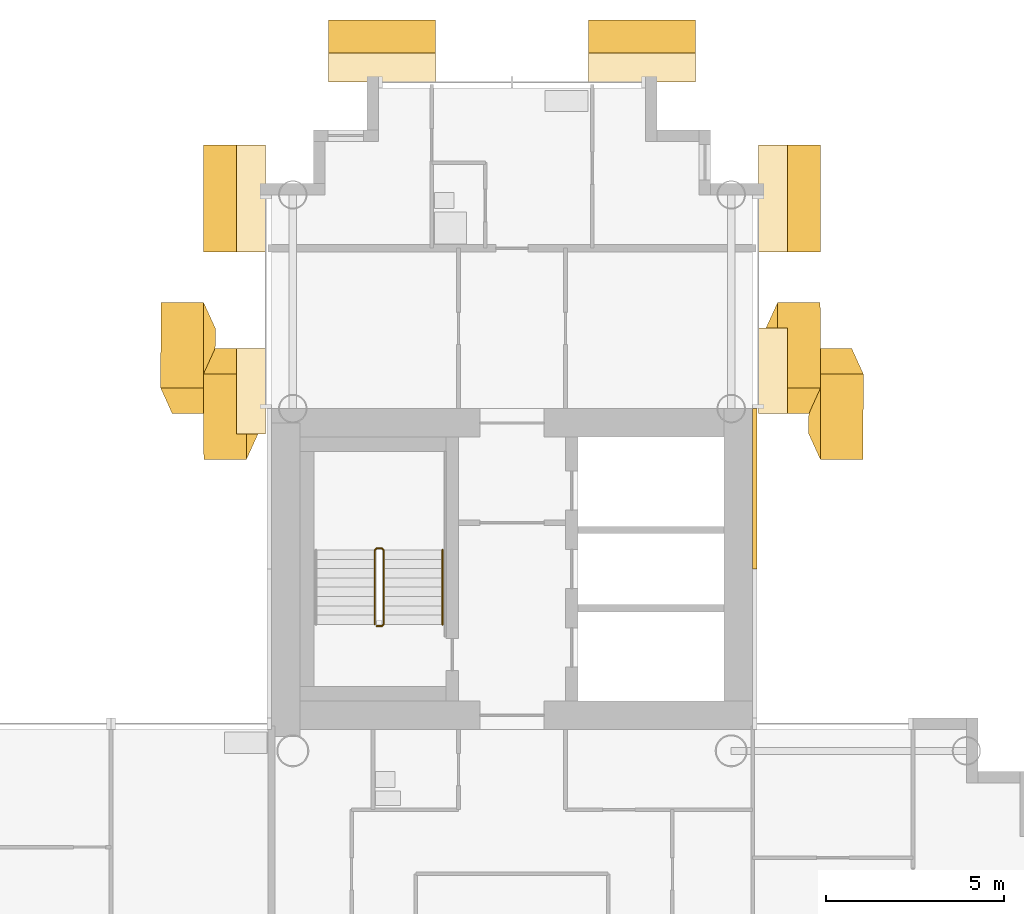
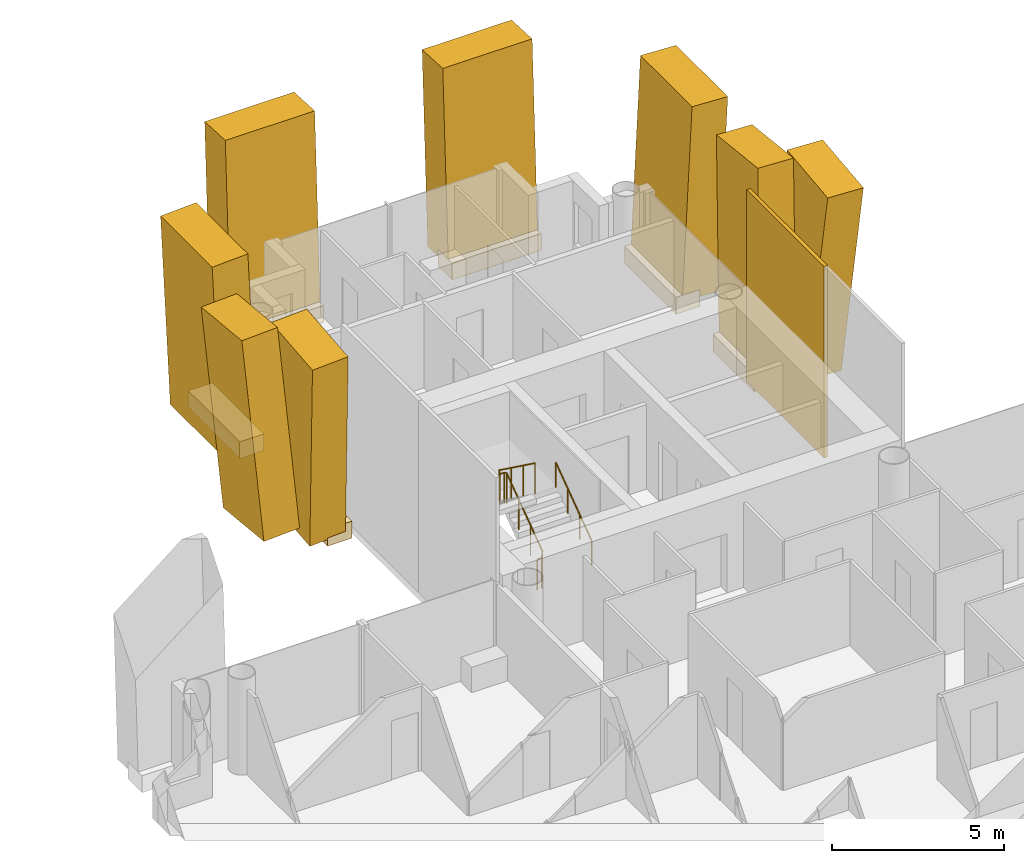
# One storey, part 18 of 19: 15 coverings, 2 railings.
"""IFC4 building model written with IfcOpenShell, lengths in metres."""

from ifc_helpers import new_model, si_unit, direction, frame, origin, origin_2d, place, context, subcontext, project, spatial, rectangle, circle, extrude, material, layer, layer_set, material_profile, profile_set, type_object, element, save


model = new_model("IFC4")

# Units and contexts
model_context = context("Model", 3, precision=1e-05, world=origin(), true_north=direction((0.0, 1.0)))
body_context = subcontext(model_context, "Body", "Model", "MODEL_VIEW")
ifc_project = project(units=[si_unit("LENGTHUNIT", "METRE"), si_unit("AREAUNIT", "SQUARE_METRE"), si_unit("VOLUMEUNIT", "CUBIC_METRE"), si_unit("PLANEANGLEUNIT", "RADIAN"), si_unit("MASSUNIT", "GRAM", prefix="KILO")], contexts=[model_context])

# Site, building, storey
site_placement = place(None, origin())
site = spatial("IfcSite", under=ifc_project, at=site_placement, CompositionType="ELEMENT")
building_placement = place(site_placement, origin())
building = spatial("IfcBuilding", under=site, at=building_placement, Name="Ipe Terrace Towers", CompositionType="ELEMENT")
storey_placement = place(building_placement, frame((0.0, 0.0, 157.5)))
storey = spatial("IfcBuildingStorey", under=building, at=storey_placement, Name="L43", CompositionType="ELEMENT", Elevation=157.5)

# Coverings
ifc_material_1 = material(Name="Concrete C50/60 precast, buff finish", Category="concrete")
ifc_layer = layer(ifc_material_1, 0.1201171875)
ifc_layer_set = layer_set([ifc_layer], Name="STONE CORE CLADDING 120")
covering_type_1 = type_object("IfcCoveringType", Name="STONE CORE CLADDING 120", PredefinedType="CLADDING", material=ifc_layer_set)
covering_placement = place(storey_placement, frame((42.81005859375, 13.5, 0.0), z_axis=(0.0, 0.0, 1.0), x_axis=(0.0, 1.0, 0.0)))
element("IfcCovering", 1, at=covering_placement, inside=storey, type_object=covering_type_1, Name="stone core cladding", PredefinedType="CLADDING", context=body_context, shape_type="SweptSolid", body=[
    extrude(rectangle(XDim=4.5009765625, YDim=0.1201171875, at=origin_2d()), origin(), (0.0, 0.0, 1.0), 6.800048828125),
])
ifc_material_2 = material(Name="Concrete C50/60 precast, buff finish", Category="concrete")
ifc_material_profile_1 = material_profile(ifc_material_2, rectangle(XDim=2.39990234375, YDim=1.199951171875, at=origin_2d()), Name="STONE FIN 2400 x 1200")
ifc_profile_set_1 = profile_set([ifc_material_profile_1], Name="Concrete C50/60 precast, buff finish")
covering_type_2 = type_object("IfcCoveringType", Name="STONE FIN 2400 x 1200", PredefinedType="USERDEFINED", material=ifc_profile_set_1)
for number, where, z_axis, x_axis, name in (
    (2, (27.072021484375, 16.80908203125, 0.0), (-0.047610457675, 0.105028312998, 0.993328897087), (-0.005028256175, -0.994469232037, 0.104907879451), "stone fin"),
    (3, (28.27197265625, 16.240966796875, 0.0), (-0.047610457675, -0.105028312998, 0.993328897087), (0.005028256175, -0.994469232037, -0.104907879451), "stone fin"),
    (4, (43.72802734375, 16.80908203125, 0.0), (0.047610457675, 0.105028312998, 0.993328897087), (-0.005028256175, 0.994469232037, -0.104907879451), "stone fin"),
    (5, (44.927978515625, 16.240966796875, 0.0), (0.047610457675, -0.105028312998, 0.993328897087), (0.005028256175, 0.994469232037, 0.104907879451), "stone fin"),
):
    element("IfcCovering", number, at=place(storey_placement, frame(where, z_axis=z_axis, x_axis=x_axis)), inside=storey, type_object=covering_type_2, Name=name, ObjectType="FIN", PredefinedType="USERDEFINED", context=body_context, shape_type="SweptSolid", body=[
        extrude(rectangle(XDim=2.39990234375, YDim=1.199951171875, at=origin_2d()), origin(), (0.0, 0.0, 1.0), 6.845703125),
    ])
ifc_material_3 = material(Name="Concrete C50/60 precast, buff finish", Category="concrete")
ifc_material_profile_2 = material_profile(ifc_material_3, rectangle(XDim=3.0, YDim=1.199951171875, at=origin_2d()), Name="STONE FIN CORNER 3000 x 1200")
ifc_profile_set_2 = profile_set([ifc_material_profile_2], Name="Concrete C50/60 precast, buff finish")
covering_type_3 = type_object("IfcCoveringType", Name="STONE FIN CORNER 3000 x 1200", PredefinedType="USERDEFINED", material=ifc_profile_set_2)
for number, where, z_axis, x_axis, name in (
    (6, (28.27197265625, 21.64990234375, 0.0), (-0.047875244543, 0.0, 0.998853323046), (0.0, -1.0, 0.0), "stone fin"),
    (7, (32.35009765625, 25.72802734375, 0.0), (0.0, 0.047875244543, 0.998853323046), (-1.0, 0.0, 0.0), "stone fin"),
    (8, (39.64990234375, 25.72802734375, 0.0), (0.0, 0.047875244543, 0.998853323046), (-1.0, 0.0, 0.0), "stone fin"),
    (9, (43.72802734375, 21.64990234375, 0.0), (0.047875244543, 0.0, 0.998853323046), (0.0, 1.0, 0.0), "stone fin"),
):
    element("IfcCovering", number, at=place(storey_placement, frame(where, z_axis=z_axis, x_axis=x_axis)), inside=storey, type_object=covering_type_3, Name=name, ObjectType="FIN", PredefinedType="USERDEFINED", context=body_context, shape_type="SweptSolid", body=[
        extrude(rectangle(XDim=3.0, YDim=1.199951171875, at=origin_2d()), origin(), (0.0, 0.0, 1.0), 6.807861328125),
    ])
ifc_material_4 = material(Name="Concrete C50/60 precast, buff finish", Category="concrete")
covering_type_4 = type_object("IfcCoveringType", Name="STONE FIN SHELF 2400 x 600", PredefinedType="CLADDING", material=ifc_material_4)
for number, where, z_axis, x_axis, name in (
    (10, (28.677978515625, 16.240966796875, -0.35009765625), (0.0, 0.0, 1.0), (0.0, -1.0, 0.0), "stone fin shelf"),
    (11, (43.322021484375, 16.80908203125, -0.35009765625), (0.0, 0.0, 1.0), (0.0, 1.0, 0.0), "stone fin shelf"),
):
    element("IfcCovering", number, at=place(storey_placement, frame(where, z_axis=z_axis, x_axis=x_axis)), inside=storey, type_object=covering_type_4, Name=name, PredefinedType="CLADDING", context=body_context, shape_type="SweptSolid", body=[
        extrude(rectangle(XDim=2.39990234375, YDim=0.81201171875, at=origin_2d()), origin(), (0.0, 0.0, 1.0), 0.60009765625),
    ])
ifc_material_5 = material(Name="Concrete C50/60 precast, buff finish", Category="concrete")
covering_type_5 = type_object("IfcCoveringType", Name="STONE FIN SHELF 3000 x 600", PredefinedType="CLADDING", material=ifc_material_5)
for number, where, z_axis, x_axis, name in (
    (12, (28.677978515625, 21.64990234375, -0.35009765625), (0.0, 0.0, 1.0), (0.0, -1.0, 0.0), "stone fin shelf"),
    (13, (32.35009765625, 25.322021484375, -0.35009765625), (0.0, 0.0, 1.0), (-1.0, 0.0, 0.0), "stone fin shelf"),
    (14, (39.64990234375, 25.322021484375, -0.35009765625), (0.0, 0.0, 1.0), (-1.0, 0.0, 0.0), "stone fin shelf"),
    (15, (43.322021484375, 21.64990234375, -0.35009765625), (0.0, 0.0, 1.0), (0.0, 1.0, 0.0), "stone fin shelf"),
):
    element("IfcCovering", number, at=place(storey_placement, frame(where, z_axis=z_axis, x_axis=x_axis)), inside=storey, type_object=covering_type_5, Name=name, PredefinedType="CLADDING", context=body_context, shape_type="SweptSolid", body=[
        extrude(rectangle(XDim=3.0, YDim=0.81201171875, at=origin_2d()), origin(), (0.0, 0.0, 1.0), 0.60009765625),
    ])

# Railings
ifc_material_6 = material(Name="Steel S355", Category="steel")
railing_type_1 = type_object("IfcRailingType", Name="Stair guard 1100", PredefinedType="GUARDRAIL", material=ifc_material_6)
railing_1_placement = place(storey_placement, frame((32.199951171875, 9.64990234375, 0.0)))
element("IfcRailing", 16, at=railing_1_placement, inside=storey, type_object=railing_type_1, Name="L43 T2-ST1 stair guard 1", PredefinedType="GUARDRAIL", context=body_context, shape_type="SweptSolid", body=[
    extrude(circle(Radius=0.02392578125, at=origin_2d()), frame((0.0, 0.0, 1.076171875), z_axis=(1.0, 0.0, 0.0), x_axis=(0.0, 1.0, 0.0)), (0.0, 0.0, 1.0), 0.150146484375),
    extrude(circle(Radius=0.02392578125, at=origin_2d()), frame((0.150146484375, 0.0, 1.076171875), z_axis=(0.246893586699, 0.248103849378, 0.936743314239), x_axis=(-0.708833529934, 0.705375805398, 0.0)), (0.0, 0.0, 1.0), 0.20166015625),
    extrude(circle(Radius=0.02392578125, at=origin_2d()), frame((0.199951171875, 0.050048828125, 1.26513671875), z_axis=(0.0, 0.809068575486, 0.587714250432), x_axis=(-1.0, 0.0, 0.0)), (0.0, 0.0, 1.0), 2.571044921875),
    extrude(circle(Radius=0.02392578125, at=origin_2d()), frame((0.199951171875, 2.130126953125, 2.77587890625), z_axis=(-0.705375805398, 0.708833529934, 0.0), x_axis=(-0.708833529934, -0.705375805398, 0.0)), (0.0, 0.0, 1.0), 0.070556640625),
    extrude(circle(Radius=0.02392578125, at=origin_2d()), frame((0.150146484375, 2.18017578125, 2.77587890625), z_axis=(-1.0, 0.0, 0.0), x_axis=(0.0, -1.0, 0.0)), (0.0, 0.0, 1.0), 0.150146484375),
    extrude(circle(Radius=0.02392578125, at=origin_2d()), frame((0.0, 2.18017578125, 2.77587890625), z_axis=(-0.248029566107, -0.248029566107, 0.936462849596), x_axis=(0.707106781187, -0.707106781187, 0.0)), (0.0, 0.0, 1.0), 0.201904296875),
    extrude(circle(Radius=0.02392578125, at=origin_2d()), frame((-0.050048828125, 2.130126953125, 2.96484375), z_axis=(0.0, -0.809068575486, 0.587714250432), x_axis=(1.0, 0.0, 0.0)), (0.0, 0.0, 1.0), 2.571044921875),
    extrude(circle(Radius=0.02099609375, at=origin_2d()), origin(), (0.0, 0.0, 1.0), 1.052001953125),
    extrude(circle(Radius=0.02099609375, at=origin_2d()), frame((0.150146484375, 0.0, 0.0)), (0.0, 0.0, 1.0), 1.052001953125),
    extrude(circle(Radius=0.02099609375, at=origin_2d()), frame((0.199951171875, 0.050048828125, 0.18896484375)), (0.0, 0.0, 1.0), 1.052001953125),
    extrude(circle(Radius=0.02099609375, at=origin_2d()), frame((0.199951171875, 0.743408203125, 0.692626953125)), (0.0, 0.0, 1.0), 1.052001953125),
    extrude(circle(Radius=0.02099609375, at=origin_2d()), frame((0.199951171875, 1.436767578125, 1.1962890625)), (0.0, 0.0, 1.0), 1.052001953125),
    extrude(circle(Radius=0.02099609375, at=origin_2d()), frame((0.199951171875, 2.130126953125, 1.699951171875)), (0.0, 0.0, 1.0), 1.052001953125),
    extrude(circle(Radius=0.02099609375, at=origin_2d()), frame((0.150146484375, 2.18017578125, 1.699951171875)), (0.0, 0.0, 1.0), 1.052001953125),
    extrude(circle(Radius=0.02099609375, at=origin_2d()), frame((0.0, 2.18017578125, 1.699951171875)), (0.0, 0.0, 1.0), 1.052001953125),
    extrude(circle(Radius=0.02099609375, at=origin_2d()), frame((-0.050048828125, 2.130126953125, 1.888916015625)), (0.0, 0.0, 1.0), 1.052001953125),
    extrude(circle(Radius=0.02099609375, at=origin_2d()), frame((-0.050048828125, 1.436767578125, 2.392578125)), (0.0, 0.0, 1.0), 1.052001953125),
    extrude(circle(Radius=0.02099609375, at=origin_2d()), frame((-0.050048828125, 0.743408203125, 2.896240234375)), (0.0, 0.0, 1.0), 1.052001953125),
    extrude(circle(Radius=0.02099609375, at=origin_2d()), frame((-0.050048828125, 0.050048828125, 3.39990234375)), (0.0, 0.0, 1.0), 1.052001953125),
])
ifc_material_7 = material(Name="Stainless steel grade 304", Category="steel")
railing_type_2 = type_object("IfcRailingType", Name="Stair handrail 900", PredefinedType="HANDRAIL", material=ifc_material_7)
railing_2_placement = place(storey_placement, frame((34.050048828125, 9.699951171875, 0.18896484375)))
element("IfcRailing", 17, at=railing_2_placement, inside=storey, type_object=railing_type_2, Name="L43 T2-ST1 stair handrail 1", PredefinedType="HANDRAIL", context=body_context, shape_type="SweptSolid", body=[
    extrude(circle(Radius=0.02392578125, at=origin_2d()), frame((0.0, 0.0, 0.8759765625), z_axis=(0.0, 0.809068575486, 0.587714250432), x_axis=(-1.0, 0.0, 0.0)), (0.0, 0.0, 1.0), 2.571044921875),
    extrude(circle(Radius=0.02099609375, at=origin_2d()), origin(), (0.0, 0.0, 1.0), 0.851806640625),
    extrude(circle(Radius=0.02099609375, at=origin_2d()), frame((0.0, 0.693359375, 0.503662109375)), (0.0, 0.0, 1.0), 0.851806640625),
    extrude(circle(Radius=0.02099609375, at=origin_2d()), frame((0.0, 1.38671875, 1.00732421875)), (0.0, 0.0, 1.0), 0.851806640625),
    extrude(circle(Radius=0.02099609375, at=origin_2d()), frame((0.0, 2.080078125, 1.510986328125)), (0.0, 0.0, 1.0), 0.851806640625),
])

save(model, "model.ifc")
